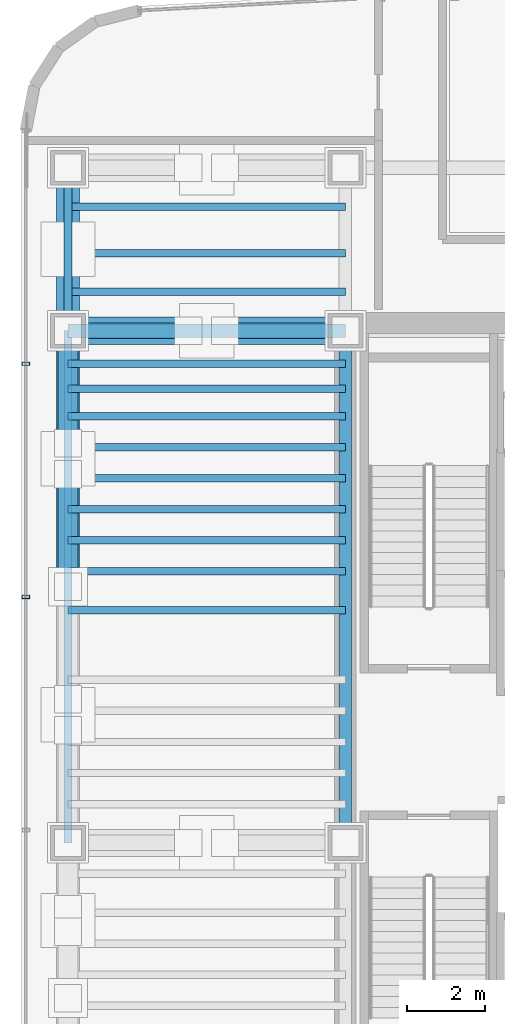
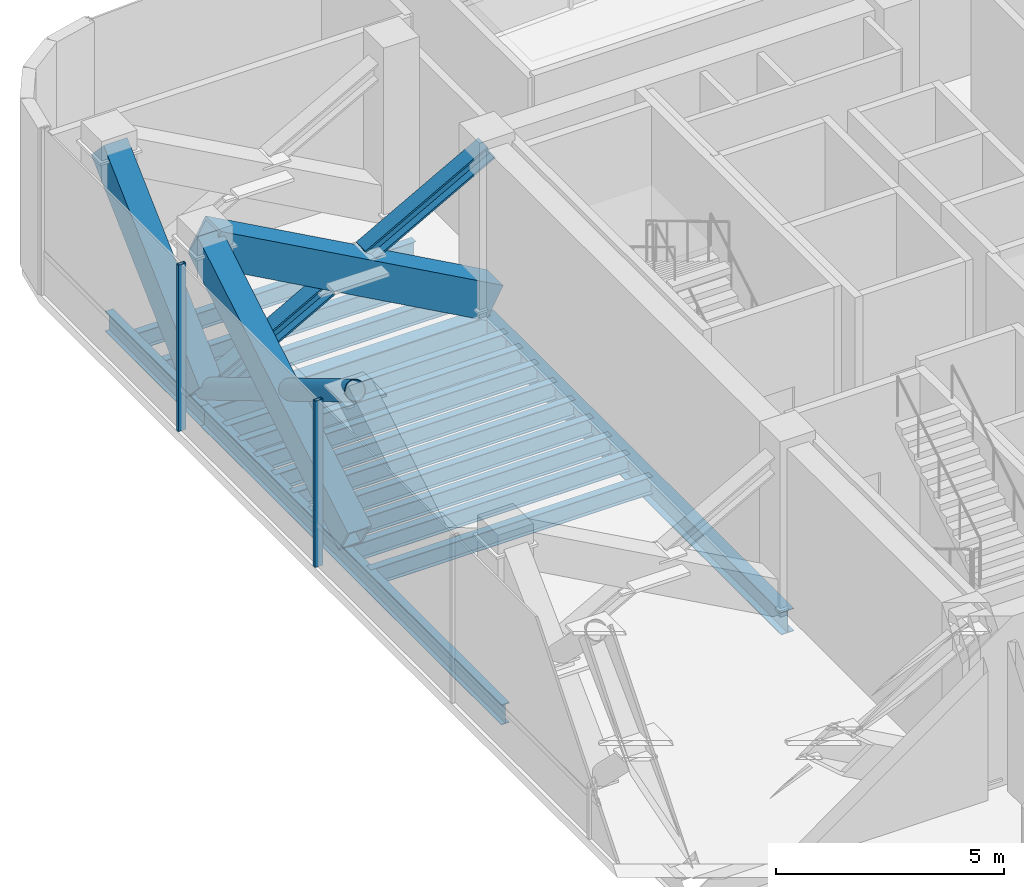
# One storey, part 7 of 20: 16 beams, 9 members, 1 element without a shape of its own.
"""IFC4 building model written with IfcOpenShell, lengths in metres."""

from ifc_helpers import new_model, si_unit, direction, frame, origin, origin_2d, place, context, subcontext, project, spatial, hollow_rectangle, hollow_circle, i_section, extrude, source, transform, mapped, material, material_profile, profile_set, type_object, element, aggregate, save


model = new_model("IFC4")

# Units and contexts
model_context = context("Model", 3, precision=1e-05, world=origin(), true_north=direction((0.0, 1.0)))
body_context = subcontext(model_context, "Body", "Model", "MODEL_VIEW")
ifc_project = project(units=[si_unit("LENGTHUNIT", "METRE"), si_unit("AREAUNIT", "SQUARE_METRE"), si_unit("VOLUMEUNIT", "CUBIC_METRE"), si_unit("PLANEANGLEUNIT", "RADIAN"), si_unit("MASSUNIT", "GRAM", prefix="KILO")], contexts=[model_context])

# Site, building, storey
site_placement = place(None, origin())
site = spatial("IfcSite", under=ifc_project, at=site_placement, CompositionType="ELEMENT")
building_placement = place(site_placement, origin())
building = spatial("IfcBuilding", under=site, at=building_placement, Name="Valdorenza Pilgrim Sanctuary Tower", CompositionType="ELEMENT")
storey_placement = place(building_placement, frame((0.0, 0.0, 196.300048828125)))
storey = spatial("IfcBuildingStorey", under=building, at=storey_placement, Name="L50", CompositionType="ELEMENT", Elevation=196.300048828125)

# Beams
ifc_material_1 = material(Name="Steel ASTM A992 Grade 50", Category="steel")
ifc_material_profile_1 = material_profile(ifc_material_1, i_section(OverallWidth=0.323974609375, OverallDepth=0.611083984375, WebThickness=0.0126953125, FlangeThickness=0.01904296875, at=origin_2d()), Name="W24X104")
ifc_profile_set_1 = profile_set([ifc_material_profile_1], Name="Steel ASTM A992 Grade 50")
beam_type_1 = type_object("IfcBeamType", Name="STR-BM-GRD-W24B", PredefinedType="BEAM", material=ifc_profile_set_1)
shared_shape_1 = source(origin(), body_context, "Body", "SweptSolid", [
    extrude(i_section(OverallWidth=0.323974609375, OverallDepth=0.611083984375, WebThickness=0.0126953125, FlangeThickness=0.01904296875, at=origin_2d()), origin(), (0.0, 0.0, 1.0), 13.2001953125),
])
beam_1_placement = place(storey_placement, frame((-22.64990234375, -2.60009765625, -0.545654296875), z_axis=(0.0, 1.0, 0.0), x_axis=(-1.0, 0.0, 0.0)))
element("IfcBeam", 1, at=beam_1_placement, inside=storey, type_object=beam_type_1, Name="L50 Core Tie Girder CA-W-M0N1", PredefinedType="BEAM", context=body_context, shape_type="MappedRepresentation", body=[
    mapped(shared_shape_1, transform((0.0, 0.0, 0.0), x_axis=(1.0, 0.0, 0.0), y_axis=(0.0, 1.0, 0.0), z_axis=(0.0, 0.0, 1.0), scale=1.0)),
])
ifc_material_profile_2 = material_profile(ifc_material_1, i_section(OverallWidth=0.19091796875, OverallDepth=0.45703125, WebThickness=0.009033203125, FlangeThickness=0.014404296875, at=origin_2d()), Name="W18X50")
ifc_profile_set_2 = profile_set([ifc_material_profile_2], Name="Steel ASTM A992 Grade 50")
beam_type_2 = type_object("IfcBeamType", Name="STR-BM-JST-W18B", PredefinedType="JOIST", material=ifc_profile_set_2)
shared_shape_2 = source(origin(), body_context, "Body", "SweptSolid", [
    extrude(i_section(OverallWidth=0.19091796875, OverallDepth=0.45703125, WebThickness=0.009033203125, FlangeThickness=0.014404296875, at=origin_2d()), origin(), (0.0, 0.0, 1.0), 7.150146484375),
])
for number, where, z_axis, x_axis, name in (
    (2, (-29.800048828125, 3.39990234375, -0.468505859375), (1.0, 0.0, 0.0), (0.0, 1.0, 0.0), "L50 Composite Floor Joist JST-WA-15"),
    (3, (-29.800048828125, 4.39990234375, -0.468505859375), (1.0, 0.0, 0.0), (0.0, 1.0, 0.0), "L50 Composite Floor Joist JST-WA-16"),
    (4, (-29.800048828125, 5.199951171875, -0.468505859375), (1.0, 0.0, 0.0), (0.0, 1.0, 0.0), "L50 Composite Floor Joist JST-WA-17"),
    (5, (-29.800048828125, 6.0, -0.468505859375), (1.0, 0.0, 0.0), (0.0, 1.0, 0.0), "L50 Composite Floor Joist JST-WA-18"),
    (6, (-29.800048828125, 6.800048828125, -0.468505859375), (1.0, 0.0, 0.0), (0.0, 1.0, 0.0), "L50 Composite Floor Joist JST-WA-19"),
    (7, (-29.800048828125, 7.60009765625, -0.468505859375), (1.0, 0.0, 0.0), (0.0, 1.0, 0.0), "L50 Composite Floor Joist JST-WA-20"),
    (8, (-29.800048828125, 8.39990234375, -0.468505859375), (1.0, 0.0, 0.0), (0.0, 1.0, 0.0), "L50 Composite Floor Joist JST-WA-21"),
    (9, (-29.800048828125, 9.10009765625, -0.468505859375), (1.0, 0.0, 0.0), (0.0, 1.0, 0.0), "L50 Composite Floor Joist JST-WA-22"),
    (10, (-29.800048828125, 9.75, -0.468505859375), (1.0, 0.0, 0.0), (0.0, 1.0, 0.0), "L50 Composite Floor Joist JST-WA-23"),
    (11, (-29.800048828125, 11.60009765625, -0.468505859375), (1.0, 0.0, 0.0), (0.0, 1.0, 0.0), "L50 Composite Floor Joist JST-WA-24"),
    (12, (-29.800048828125, 12.60009765625, -0.468505859375), (1.0, 0.0, 0.0), (0.0, 1.0, 0.0), "L50 Composite Floor Joist JST-WA-25"),
    (13, (-29.800048828125, 13.800048828125, -0.468505859375), (1.0, 0.0, 0.0), (0.0, 1.0, 0.0), "L50 Composite Floor Joist JST-WA-26"),
):
    element("IfcBeam", number, at=place(storey_placement, frame(where, z_axis=z_axis, x_axis=x_axis)), inside=storey, type_object=beam_type_2, Name=name, PredefinedType="JOIST", context=body_context, shape_type="MappedRepresentation", body=[
        mapped(shared_shape_2, transform((0.0, 0.0, 0.0), x_axis=(1.0, 0.0, 0.0), y_axis=(0.0, 1.0, 0.0), z_axis=(0.0, 0.0, 1.0), scale=1.0)),
    ])
ifc_material_profile_3 = material_profile(ifc_material_1, i_section(OverallWidth=0.2109375, OverallDepth=0.5390625, WebThickness=0.01171875, FlangeThickness=0.018798828125, at=origin_2d()), Name="W21X73")
ifc_profile_set_3 = profile_set([ifc_material_profile_3], Name="Steel ASTM A992 Grade 50")
beam_type_3 = type_object("IfcBeamType", Name="STR-BM-SPN-W21B", PredefinedType="SPANDREL", material=ifc_profile_set_3)
shared_shape_3 = source(origin(), body_context, "Body", "SweptSolid", [
    extrude(i_section(OverallWidth=0.2109375, OverallDepth=0.5390625, WebThickness=0.01171875, FlangeThickness=0.018798828125, at=origin_2d()), origin(), (0.0, 0.0, 1.0), 13.2001953125),
])
beam_2_placement = place(storey_placement, frame((-29.800048828125, -2.60009765625, -0.509521484375), z_axis=(0.0, 1.0, 0.0), x_axis=(-1.0, 0.0, 0.0)))
element("IfcBeam", 14, at=beam_2_placement, inside=storey, type_object=beam_type_3, Name="L50 Spandrel Beam WA-W-M0N1", PredefinedType="SPANDREL", context=body_context, shape_type="MappedRepresentation", body=[
    mapped(shared_shape_3, transform((0.0, 0.0, 0.0), x_axis=(1.0, 0.0, 0.0), y_axis=(0.0, 1.0, 0.0), z_axis=(0.0, 0.0, 1.0), scale=1.0)),
])
shared_shape_4 = source(origin(), body_context, "Body", "SweptSolid", [
    extrude(i_section(OverallWidth=0.2109375, OverallDepth=0.5390625, WebThickness=0.01171875, FlangeThickness=0.018798828125, at=origin_2d()), origin(), (0.0, 0.0, 1.0), 4.199951171875),
])
beam_3_placement = place(storey_placement, frame((-29.800048828125, 10.60009765625, -0.509521484375), z_axis=(0.0, 1.0, 0.0), x_axis=(-1.0, 0.0, 0.0)))
element("IfcBeam", 15, at=beam_3_placement, inside=storey, type_object=beam_type_3, Name="L50 Spandrel Beam WA-W-N1N2", PredefinedType="SPANDREL", context=body_context, shape_type="MappedRepresentation", body=[
    mapped(shared_shape_4, transform((0.0, 0.0, 0.0), x_axis=(1.0, 0.0, 0.0), y_axis=(0.0, 1.0, 0.0), z_axis=(0.0, 0.0, 1.0), scale=1.0)),
])
ifc_material_profile_4 = material_profile(ifc_material_1, i_section(OverallWidth=0.35595703125, OverallDepth=0.700927734375, WebThickness=0.016845703125, FlangeThickness=0.02734375, at=origin_2d()), Name="W27X161")
ifc_profile_set_4 = profile_set([ifc_material_profile_4], Name="Steel ASTM A992 Grade 50")
beam_type_4 = type_object("IfcBeamType", Name="STR-BM-GRD-W27", PredefinedType="BEAM", material=ifc_profile_set_4)
shared_shape_5 = source(origin(), body_context, "Body", "SweptSolid", [
    extrude(i_section(OverallWidth=0.35595703125, OverallDepth=0.700927734375, WebThickness=0.016845703125, FlangeThickness=0.02734375, at=origin_2d()), origin(), (0.0, 0.0, 1.0), 7.150146484375),
])
beam_4_placement = place(storey_placement, frame((-29.800048828125, 10.60009765625, -0.590576171875), z_axis=(1.0, 0.0, 0.0), x_axis=(0.0, 1.0, 0.0)))
element("IfcBeam", 16, at=beam_4_placement, inside=storey, type_object=beam_type_4, Name="L50 Floor Girder WA-XW-N1", PredefinedType="BEAM", context=body_context, shape_type="MappedRepresentation", body=[
    mapped(shared_shape_5, transform((0.0, 0.0, 0.0), x_axis=(1.0, 0.0, 0.0), y_axis=(0.0, 1.0, 0.0), z_axis=(0.0, 0.0, 1.0), scale=1.0)),
])

# Members
ifc_material_2 = material(Name="Steel ASTM A572 Grade 42", Category="steel")
ifc_material_profile_5 = material_profile(ifc_material_2, hollow_rectangle(XDim=0.699951171875, YDim=0.89990234375, WallThickness=0.070068359375, at=origin_2d()), Name="BOX 900x700x70")
ifc_profile_set_5 = profile_set([ifc_material_profile_5], Name="Steel ASTM A572 Grade 42")
member_type_1 = type_object("IfcMemberType", Name="STR-MB-OUT-BOX900", PredefinedType="BRACE", material=ifc_profile_set_5)
shared_shape_6 = source(origin(), body_context, "Body", "SweptSolid", [
    extrude(hollow_rectangle(XDim=0.699951171875, YDim=0.89990234375, WallThickness=0.070068359375, at=origin_2d()), origin(), (0.0, 0.0, 1.0), 8.168701171875),
])
member_1_placement = place(storey_placement, frame((-22.64990234375, 10.60009765625, 0.199951171875), z_axis=(-0.875316441989, 0.0, 0.483550541706), x_axis=(0.0, -1.0, 0.0)))
element("IfcMember", 17, at=member_1_placement, inside=storey, type_object=member_type_1, Name="L50 Outrigger Truss Diagonal WA3A", PredefinedType="BRACE", context=body_context, shape_type="MappedRepresentation", body=[
    mapped(shared_shape_6, transform((0.0, 0.0, 0.0), x_axis=(1.0, 0.0, 0.0), y_axis=(0.0, 1.0, 0.0), z_axis=(0.0, 0.0, 1.0), scale=1.0)),
])
ifc_material_profile_6 = material_profile(ifc_material_1, i_section(OverallWidth=0.406005859375, OverallDepth=0.416015625, WebThickness=0.02978515625, FlangeThickness=0.048095703125, at=origin_2d()), Name="W14X257")
ifc_profile_set_6 = profile_set([ifc_material_profile_6], Name="Steel ASTM A992 Grade 50")
member_type_2 = type_object("IfcMemberType", Name="STR-MB-OUT-W257", PredefinedType="BRACE", material=ifc_profile_set_6)
shared_shape_7 = source(origin(), body_context, "Body", "SweptSolid", [
    extrude(i_section(OverallWidth=0.406005859375, OverallDepth=0.416015625, WebThickness=0.02978515625, FlangeThickness=0.048095703125, at=origin_2d()), origin(), (0.0, 0.0, 1.0), 3.540771484375),
])
for number, where, z_axis, x_axis, name in (
    (18, (-22.64990234375, 10.60009765625, 4.14990234375), (-0.875319106546, 0.0, -0.483545718331), (0.0, -1.0, 0.0), "L50 Outrigger Truss Counter-Diagonal WA3B Lower Segment"),
    (19, (-26.70068359375, 10.60009765625, 1.912109375), (-0.875319106546, 0.0, -0.483545718331), (0.0, -1.0, 0.0), "L50 Outrigger Truss Counter-Diagonal WA3B Upper Segment"),
):
    element("IfcMember", number, at=place(storey_placement, frame(where, z_axis=z_axis, x_axis=x_axis)), inside=storey, type_object=member_type_2, Name=name, PredefinedType="BRACE", context=body_context, shape_type="MappedRepresentation", body=[
        mapped(shared_shape_7, transform((0.0, 0.0, 0.0), x_axis=(1.0, 0.0, 0.0), y_axis=(0.0, 1.0, 0.0), z_axis=(0.0, 0.0, 1.0), scale=1.0)),
    ])
ifc_material_profile_7 = material_profile(ifc_material_2, hollow_rectangle(XDim=0.60009765625, YDim=0.800048828125, WallThickness=0.06005859375, at=origin_2d()), Name="BOX 800x600x60")
ifc_profile_set_7 = profile_set([ifc_material_profile_7], Name="Steel ASTM A572 Grade 42")
member_type_3 = type_object("IfcMemberType", Name="STR-MB-BLT-BOX800", PredefinedType="BRACE", material=ifc_profile_set_7)
shared_shape_8 = source(origin(), body_context, "Body", "SweptSolid", [
    extrude(hollow_rectangle(XDim=0.60009765625, YDim=0.800048828125, WallThickness=0.06005859375, at=origin_2d()), origin(), (0.0, 0.0, 1.0), 7.69189453125),
])
member_2_placement = place(storey_placement, frame((-29.800048828125, 4.0, 0.199951171875), z_axis=(0.0, 0.858072111864, 0.513529211284), x_axis=(-1.0, 0.0, 0.0)))
element("IfcMember", 20, at=member_2_placement, inside=storey, type_object=member_type_3, Name="L50 Perimeter Belt Truss Diagonal W4", PredefinedType="BRACE", context=body_context, shape_type="MappedRepresentation", body=[
    mapped(shared_shape_8, transform((0.0, 0.0, 0.0), x_axis=(1.0, 0.0, 0.0), y_axis=(0.0, 1.0, 0.0), z_axis=(0.0, 0.0, 1.0), scale=1.0)),
])
ifc_material_3 = material(Name="Steel S355J2", Category="steel")
ifc_material_profile_8 = material_profile(ifc_material_3, hollow_circle(Radius=0.25390625, WallThickness=0.02001953125, at=origin_2d()), Name="CHS 508x20")
ifc_profile_set_8 = profile_set([ifc_material_profile_8], Name="Steel S355J2")
member_type_4 = type_object("IfcMemberType", Name="STR-MB-CHS-508", PredefinedType="STRUT", material=ifc_profile_set_8)
shared_shape_9 = source(origin(), body_context, "Body", "SweptSolid", [
    extrude(hollow_circle(Radius=0.25390625, WallThickness=0.02001953125, at=origin_2d()), origin(), (0.0, 0.0, 1.0), 3.380126953125),
])
member_3_placement = place(storey_placement, frame((-29.800048828125, 7.69970703125, 1.935546875), z_axis=(0.0, 0.858097793113, -0.513486297242), x_axis=(-1.0, 0.0, 0.0)))
element("IfcMember", 21, at=member_3_placement, inside=storey, type_object=member_type_4, Name="L50 Perimeter Counter-Belt Strut CW4 Upper Segment", PredefinedType="STRUT", context=body_context, shape_type="MappedRepresentation", body=[
    mapped(shared_shape_9, transform((0.0, 0.0, 0.0), x_axis=(1.0, 0.0, 0.0), y_axis=(0.0, 1.0, 0.0), z_axis=(0.0, 0.0, 1.0), scale=1.0)),
])
shared_shape_10 = source(origin(), body_context, "Body", "SweptSolid", [
    extrude(hollow_circle(Radius=0.25390625, WallThickness=0.02001953125, at=origin_2d()), origin(), (0.0, 0.0, 1.0), 3.3798828125),
])
member_4_placement = place(storey_placement, frame((-29.800048828125, 4.0, 4.14990234375), z_axis=(0.0, 0.85807874647, -0.51351812515), x_axis=(-1.0, 0.0, 0.0)))
element("IfcMember", 22, at=member_4_placement, inside=storey, type_object=member_type_4, Name="L50 Perimeter Counter-Belt Strut CW4 Lower Segment", PredefinedType="STRUT", context=body_context, shape_type="MappedRepresentation", body=[
    mapped(shared_shape_10, transform((0.0, 0.0, 0.0), x_axis=(1.0, 0.0, 0.0), y_axis=(0.0, 1.0, 0.0), z_axis=(0.0, 0.0, 1.0), scale=1.0)),
])
shared_shape_11 = source(origin(), body_context, "Body", "SweptSolid", [
    extrude(hollow_rectangle(XDim=0.60009765625, YDim=0.800048828125, WallThickness=0.06005859375, at=origin_2d()), origin(), (0.0, 0.0, 1.0), 5.765625),
])
member_5_placement = place(storey_placement, frame((-29.800048828125, 10.60009765625, 0.199951171875), z_axis=(0.0, 0.728454787138, 0.685093879039), x_axis=(-1.0, 0.0, 0.0)))
element("IfcMember", 23, at=member_5_placement, inside=storey, type_object=member_type_3, Name="L50 Perimeter Belt Truss Diagonal W5", PredefinedType="BRACE", context=body_context, shape_type="MappedRepresentation", body=[
    mapped(shared_shape_11, transform((0.0, 0.0, 0.0), x_axis=(1.0, 0.0, 0.0), y_axis=(0.0, 1.0, 0.0), z_axis=(0.0, 0.0, 1.0), scale=1.0)),
])

# Curtain wall, members
ifc_material_4 = material(Name="Curtain-wall IGU glazing", Category="glass")
curtain_wall_type = type_object("IfcCurtainWallType", Name="CW-SYS-02", PredefinedType="NOTDEFINED", material=ifc_material_4)
curtain_wall_placement = place(storey_placement, origin())
curtain_wall = element("IfcCurtainWall", 24, at=curtain_wall_placement, inside=storey, type_object=curtain_wall_type, Name="L50 Curtain Wall CW-L50-1-1", PredefinedType="NOTDEFINED")
ifc_material_5 = material(Name="Anodised aluminium AW-6060", Category="aluminium")
ifc_material_profile_9 = material_profile(ifc_material_5, hollow_rectangle(XDim=0.0849609375, YDim=0.199951171875, WallThickness=0.0048828125, at=origin_2d()), Name="ALU-M 200x85x5")
ifc_profile_set_9 = profile_set([ifc_material_profile_9], Name="Anodised aluminium AW-6060")
member_type_5 = type_object("IfcMemberType", Name="CW-MUL-02", PredefinedType="MULLION", material=ifc_profile_set_9)
shared_shape_12 = source(origin(), body_context, "Body", "SweptSolid", [
    extrude(hollow_rectangle(XDim=0.0849609375, YDim=0.199951171875, WallThickness=0.0048828125, at=origin_2d()), origin(), (0.0, 0.0, 1.0), 4.4599609375),
])
member_6_placement = place(storey_placement, frame((-30.889892578125, 3.73876953125, 0.0), z_axis=(0.0, 0.0, 1.0), x_axis=(0.0, 1.0, 0.0)))
member_6 = element("IfcMember", 25, at=member_6_placement, type_object=member_type_5, Name="CW-L50-1-1 Mullion 4", PredefinedType="MULLION", context=body_context, shape_type="MappedRepresentation", body=[
    mapped(shared_shape_12, transform((0.0, 0.0, 0.0), x_axis=(1.0, 0.0, 0.0), y_axis=(0.0, 1.0, 0.0), z_axis=(0.0, 0.0, 1.0), scale=1.0)),
])
member_7_placement = place(storey_placement, frame((-30.889892578125, 9.748291015625, 0.0), z_axis=(0.0, 0.0, 1.0), x_axis=(0.0, 1.0, 0.0)))
member_7 = element("IfcMember", 26, at=member_7_placement, type_object=member_type_5, Name="CW-L50-1-1 Mullion 5", PredefinedType="MULLION", context=body_context, shape_type="MappedRepresentation", body=[
    mapped(shared_shape_12, transform((0.0, 0.0, 0.0), x_axis=(1.0, 0.0, 0.0), y_axis=(0.0, 1.0, 0.0), z_axis=(0.0, 0.0, 1.0), scale=1.0)),
])
aggregate(curtain_wall, [member_6, member_7])

save(model, "model.ifc")
